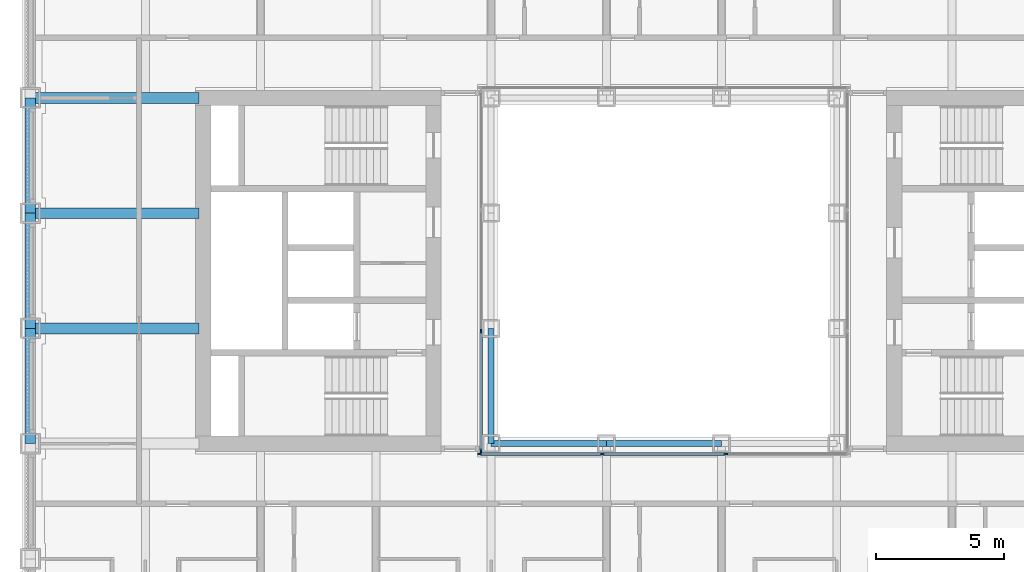
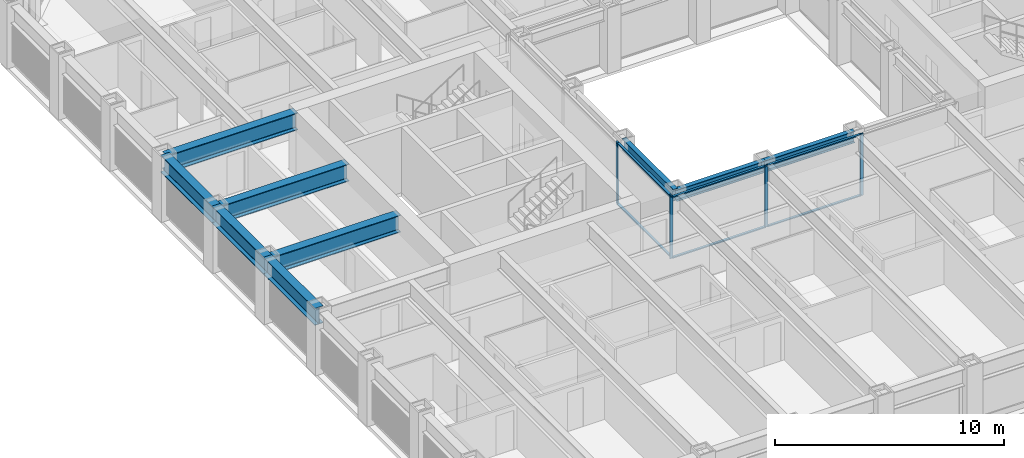
# One storey, part 3 of 21: 11 members, 9 beams, 2 elements without a shape of their own.
"""IFC4 building model written with IfcOpenShell, lengths in metres."""

from ifc_helpers import new_model, si_unit, direction, frame, origin, origin_2d, place, context, subcontext, project, spatial, rectangle, i_section, extrude, material, material_profile, profile_set, type_object, element, aggregate, save


model = new_model("IFC4")

# Units and contexts
model_context = context("Model", 3, precision=1e-05, world=origin(), true_north=direction((0.0, 1.0)))
body_context = subcontext(model_context, "Body", "Model", "MODEL_VIEW")
ifc_project = project(units=[si_unit("LENGTHUNIT", "METRE"), si_unit("AREAUNIT", "SQUARE_METRE"), si_unit("VOLUMEUNIT", "CUBIC_METRE"), si_unit("PLANEANGLEUNIT", "RADIAN"), si_unit("MASSUNIT", "GRAM", prefix="KILO")], contexts=[model_context])

# Site, building, storey
site_placement = place(None, origin())
site = spatial("IfcSite", under=ifc_project, at=site_placement, CompositionType="ELEMENT")
building_placement = place(site_placement, origin())
building = spatial("IfcBuilding", under=site, at=building_placement, Name="Msasa Ring Tower", CompositionType="ELEMENT")
storey_placement = place(building_placement, frame((0.0, 0.0, 37.0)))
storey = spatial("IfcBuildingStorey", under=building, at=storey_placement, Name="L08", CompositionType="ELEMENT", Elevation=37.0)

# Curtain wall, members
ifc_material_1 = material(Name="Aluminium curtain wall with clear glass", Category="aluminium")
curtain_wall_type = type_object("IfcCurtainWallType", Name="CW-W LIGHT WELL CURTAIN WALL", PredefinedType="NOTDEFINED", material=ifc_material_1)
curtain_wall_1_placement = place(storey_placement, origin())
curtain_wall_1 = element("IfcCurtainWall", 1, at=curtain_wall_1_placement, inside=storey, type_object=curtain_wall_type, Name="Light well curtain wall S L08", PredefinedType="NOTDEFINED")
ifc_material_2 = material(Name="Aluminium mullion", Category="aluminium")
ifc_material_profile_1 = material_profile(ifc_material_2, rectangle(XDim=0.06005859375, YDim=0.159912109375, at=origin_2d()), Name="AL 60x160")
ifc_profile_set_1 = profile_set([ifc_material_profile_1], Name="Aluminium mullion")
member_type_1 = type_object("IfcMemberType", Name="CW-W MULLION 60x160", PredefinedType="MULLION", material=ifc_profile_set_1)
member_1_placement = place(storey_placement, frame((-7.199951171875, -7.14990234375, 0.0), z_axis=(0.0, 0.0, 1.0), x_axis=(0.0, 1.0, 0.0)))
member_1 = element("IfcMember", 2, at=member_1_placement, type_object=member_type_1, Name="CW-W mullion 1", PredefinedType="MULLION", context=body_context, shape_type="SweptSolid", body=[
    extrude(rectangle(XDim=0.06005859375, YDim=0.159912109375, at=origin_2d()), origin(), (0.0, 0.0, 1.0), 3.300048828125),
])
member_2_placement = place(storey_placement, frame((-2.409912109375, -7.14990234375, 0.0), z_axis=(0.0, 0.0, 1.0), x_axis=(0.0, 1.0, 0.0)))
member_2 = element("IfcMember", 3, at=member_2_placement, type_object=member_type_1, Name="CW-W mullion 2", PredefinedType="MULLION", context=body_context, shape_type="SweptSolid", body=[
    extrude(rectangle(XDim=0.06005859375, YDim=0.159912109375, at=origin_2d()), origin(), (0.0, 0.0, 1.0), 3.300048828125),
])
member_3_placement = place(storey_placement, frame((2.409912109375, -7.14990234375, 0.0), z_axis=(0.0, 0.0, 1.0), x_axis=(0.0, 1.0, 0.0)))
member_3 = element("IfcMember", 4, at=member_3_placement, type_object=member_type_1, Name="CW-W mullion 3", PredefinedType="MULLION", context=body_context, shape_type="SweptSolid", body=[
    extrude(rectangle(XDim=0.06005859375, YDim=0.159912109375, at=origin_2d()), origin(), (0.0, 0.0, 1.0), 3.300048828125),
])

curtain_wall_2_placement = place(storey_placement, origin())
curtain_wall_2 = element("IfcCurtainWall", 5, at=curtain_wall_2_placement, inside=storey, type_object=curtain_wall_type, Name="Light well curtain wall W L08", PredefinedType="NOTDEFINED")
member_4_placement = place(storey_placement, frame((-7.14990234375, -7.0400390625, 0.0), z_axis=(0.0, 0.0, 1.0), x_axis=(-1.0, 0.0, 0.0)))
member_4 = element("IfcMember", 6, at=member_4_placement, type_object=member_type_1, Name="CW-W mullion 1", PredefinedType="MULLION", context=body_context, shape_type="SweptSolid", body=[
    extrude(rectangle(XDim=0.06005859375, YDim=0.159912109375, at=origin_2d()), origin(), (0.0, 0.0, 1.0), 3.300048828125),
])
member_5_placement = place(storey_placement, frame((-7.14990234375, -2.356689453125, 0.0), z_axis=(0.0, 0.0, 1.0), x_axis=(-1.0, 0.0, 0.0)))
member_5 = element("IfcMember", 7, at=member_5_placement, type_object=member_type_1, Name="CW-W mullion 2", PredefinedType="MULLION", context=body_context, shape_type="SweptSolid", body=[
    extrude(rectangle(XDim=0.06005859375, YDim=0.159912109375, at=origin_2d()), origin(), (0.0, 0.0, 1.0), 3.300048828125),
])

# Member
ifc_material_3 = material(Name="Aluminium transom", Category="aluminium")
ifc_material_profile_2 = material_profile(ifc_material_3, rectangle(XDim=0.1201171875, YDim=0.06005859375, at=origin_2d()), Name="AL 60x120")
ifc_profile_set_2 = profile_set([ifc_material_profile_2], Name="Aluminium transom")
member_type_2 = type_object("IfcMemberType", Name="CW-W TRANSOM 60x120", PredefinedType="USERDEFINED", material=ifc_profile_set_2)
member_6_placement = place(storey_placement, frame((-7.169921875, -7.14990234375, 0.030029296875), z_axis=(1.0, 0.0, 0.0), x_axis=(0.0, 1.0, 0.0)))
member_6 = element("IfcMember", 8, at=member_6_placement, type_object=member_type_2, Name="CW-W transom 1.1", ObjectType="TRANSOM", PredefinedType="USERDEFINED", context=body_context, shape_type="SweptSolid", body=[
    extrude(rectangle(XDim=0.1201171875, YDim=0.06005859375, at=origin_2d()), origin(), (0.0, 0.0, 1.0), 4.72998046875),
])

member_7_placement = place(storey_placement, frame((-7.169921875, -7.14990234375, 3.27001953125), z_axis=(1.0, 0.0, 0.0), x_axis=(0.0, 1.0, 0.0)))
member_7 = element("IfcMember", 9, at=member_7_placement, type_object=member_type_2, Name="CW-W transom 1.2", ObjectType="TRANSOM", PredefinedType="USERDEFINED", context=body_context, shape_type="SweptSolid", body=[
    extrude(rectangle(XDim=0.1201171875, YDim=0.06005859375, at=origin_2d()), origin(), (0.0, 0.0, 1.0), 4.72998046875),
])

member_8_placement = place(storey_placement, frame((-2.3798828125, -7.14990234375, 0.030029296875), z_axis=(1.0, 0.0, 0.0), x_axis=(0.0, 1.0, 0.0)))
member_8 = element("IfcMember", 10, at=member_8_placement, type_object=member_type_2, Name="CW-W transom 2.1", ObjectType="TRANSOM", PredefinedType="USERDEFINED", context=body_context, shape_type="SweptSolid", body=[
    extrude(rectangle(XDim=0.1201171875, YDim=0.06005859375, at=origin_2d()), origin(), (0.0, 0.0, 1.0), 4.759765625),
])

member_9_placement = place(storey_placement, frame((-2.3798828125, -7.14990234375, 3.27001953125), z_axis=(1.0, 0.0, 0.0), x_axis=(0.0, 1.0, 0.0)))
member_9 = element("IfcMember", 11, at=member_9_placement, type_object=member_type_2, Name="CW-W transom 2.2", ObjectType="TRANSOM", PredefinedType="USERDEFINED", context=body_context, shape_type="SweptSolid", body=[
    extrude(rectangle(XDim=0.1201171875, YDim=0.06005859375, at=origin_2d()), origin(), (0.0, 0.0, 1.0), 4.759765625),
])

aggregate(curtain_wall_1, [member_1, member_2, member_3, member_6, member_7, member_8, member_9])

member_10_placement = place(storey_placement, frame((-7.14990234375, -7.010009765625, 0.030029296875), z_axis=(0.0, 1.0, 0.0), x_axis=(-1.0, 0.0, 0.0)))
member_10 = element("IfcMember", 12, at=member_10_placement, type_object=member_type_2, Name="CW-W transom 1.1", ObjectType="TRANSOM", PredefinedType="USERDEFINED", context=body_context, shape_type="SweptSolid", body=[
    extrude(rectangle(XDim=0.1201171875, YDim=0.06005859375, at=origin_2d()), origin(), (0.0, 0.0, 1.0), 4.623291015625),
])

member_11_placement = place(storey_placement, frame((-7.14990234375, -7.010009765625, 3.27001953125), z_axis=(0.0, 1.0, 0.0), x_axis=(-1.0, 0.0, 0.0)))
member_11 = element("IfcMember", 13, at=member_11_placement, type_object=member_type_2, Name="CW-W transom 1.2", ObjectType="TRANSOM", PredefinedType="USERDEFINED", context=body_context, shape_type="SweptSolid", body=[
    extrude(rectangle(XDim=0.1201171875, YDim=0.06005859375, at=origin_2d()), origin(), (0.0, 0.0, 1.0), 4.623291015625),
])

aggregate(curtain_wall_2, [member_4, member_5, member_10, member_11])

# Beams
ifc_material_4 = material(Name="Steel S355", Category="steel")
ifc_material_profile_3 = material_profile(ifc_material_4, i_section(OverallWidth=0.42041015625, OverallDepth=0.9208984375, WebThickness=0.021484375, FlangeThickness=0.03662109375, FilletRadius=0.024169921875, at=origin_2d()), Name="UB 914x419x388")
ifc_profile_set_3 = profile_set([ifc_material_profile_3], Name="Steel S355")
beam_type_1 = type_object("IfcBeamType", Name="FB2 UB 914x419x388", PredefinedType="BEAM", material=ifc_profile_set_3)
for number, where, z_axis, x_axis, name in (
    (14, (-24.75, -2.25, 2.839599609375), (1.0, 0.0, 0.0), (0.0, 1.0, 0.0), "Floor beam W -2.25 under L09"),
    (15, (-24.75, 2.25, 2.839599609375), (1.0, 0.0, 0.0), (0.0, 1.0, 0.0), "Floor beam W +2.25 under L09"),
):
    element("IfcBeam", number, at=place(storey_placement, frame(where, z_axis=z_axis, x_axis=x_axis)), inside=storey, type_object=beam_type_1, Name=name, PredefinedType="BEAM", context=body_context, shape_type="SweptSolid", body=[
        extrude(i_section(OverallWidth=0.42041015625, OverallDepth=0.9208984375, WebThickness=0.021484375, FlangeThickness=0.03662109375, FilletRadius=0.024169921875, at=origin_2d()), origin(), (0.0, 0.0, 1.0), 6.60009765625),
    ])
ifc_material_5 = material(Name="Steel S355", Category="steel")
ifc_material_profile_4 = material_profile(ifc_material_5, i_section(OverallWidth=0.42041015625, OverallDepth=0.9208984375, WebThickness=0.021484375, FlangeThickness=0.03662109375, FilletRadius=0.024169921875, at=origin_2d()), Name="UB 914x419x388")
ifc_profile_set_4 = profile_set([ifc_material_profile_4], Name="Steel S355")
beam_type_2 = type_object("IfcBeamType", Name="GB1 UB 914x419x388", PredefinedType="BEAM", material=ifc_profile_set_4)
beam_placement = place(storey_placement, frame((-18.14990234375, 6.75, 2.839599609375), z_axis=(-1.0, 0.0, 0.0), x_axis=(0.0, -1.0, 0.0)))
element("IfcBeam", 16, at=beam_placement, inside=storey, type_object=beam_type_2, Name="Girder W +6.75 under L09", PredefinedType="BEAM", context=body_context, shape_type="SweptSolid", body=[
    extrude(i_section(OverallWidth=0.42041015625, OverallDepth=0.9208984375, WebThickness=0.021484375, FlangeThickness=0.03662109375, FilletRadius=0.024169921875, at=origin_2d()), origin(), (0.0, 0.0, 1.0), 6.60009765625),
])
ifc_material_6 = material(Name="Steel S355", Category="steel")
ifc_material_profile_5 = material_profile(ifc_material_6, i_section(OverallWidth=0.230224609375, OverallDepth=0.6171875, WebThickness=0.01318359375, FlangeThickness=0.022216796875, FilletRadius=0.0126953125, at=origin_2d()), Name="UB 610x229x140")
ifc_profile_set_5 = profile_set([ifc_material_profile_5], Name="Steel S355")
beam_type_3 = type_object("IfcBeamType", Name="RB1 UB 610x229x140", PredefinedType="BEAM", material=ifc_profile_set_5)
for number, where, z_axis, x_axis, name in (
    (17, (-6.75, -2.25, 2.991455078125), (0.0, -1.0, 0.0), (1.0, 0.0, 0.0), "Inner ring beam IR-6.75-2.25 under L09"),
    (18, (-6.75, -6.75, 2.991455078125), (1.0, 0.0, 0.0), (0.0, 1.0, 0.0), "Inner ring beam IR-6.75-6.75 under L09"),
    (19, (-2.25, -6.75, 2.991455078125), (1.0, 0.0, 0.0), (0.0, 1.0, 0.0), "Inner ring beam IR-2.25-6.75 under L09"),
):
    element("IfcBeam", number, at=place(storey_placement, frame(where, z_axis=z_axis, x_axis=x_axis)), inside=storey, type_object=beam_type_3, Name=name, PredefinedType="BEAM", context=body_context, shape_type="SweptSolid", body=[
        extrude(i_section(OverallWidth=0.230224609375, OverallDepth=0.6171875, WebThickness=0.01318359375, FlangeThickness=0.022216796875, FilletRadius=0.0126953125, at=origin_2d()), origin(), (0.0, 0.0, 1.0), 4.5),
    ])
ifc_material_7 = material(Name="Steel S355", Category="steel")
ifc_material_profile_6 = material_profile(ifc_material_7, i_section(OverallWidth=0.42041015625, OverallDepth=0.9208984375, WebThickness=0.021484375, FlangeThickness=0.03662109375, FilletRadius=0.024169921875, at=origin_2d()), Name="UB 914x419x388")
ifc_profile_set_6 = profile_set([ifc_material_profile_6], Name="Steel S355")
beam_type_4 = type_object("IfcBeamType", Name="SB1 UB 914x419x388", PredefinedType="SPANDREL", material=ifc_profile_set_6)
for number, where, z_axis, x_axis, name in (
    (20, (-24.75, -2.25, 2.839599609375), (0.0, -1.0, 0.0), (1.0, 0.0, 0.0), "Spandrel W-2.25 to W-6.75 under L09"),
    (21, (-24.75, 6.75, 2.839599609375), (0.0, -1.0, 0.0), (1.0, 0.0, 0.0), "Spandrel W+6.75 to W+2.25 under L09"),
    (22, (-24.75, 2.25, 2.839599609375), (0.0, -1.0, 0.0), (1.0, 0.0, 0.0), "Spandrel W+2.25 to W-2.25 under L09"),
):
    element("IfcBeam", number, at=place(storey_placement, frame(where, z_axis=z_axis, x_axis=x_axis)), inside=storey, type_object=beam_type_4, Name=name, PredefinedType="SPANDREL", context=body_context, shape_type="SweptSolid", body=[
        extrude(i_section(OverallWidth=0.42041015625, OverallDepth=0.9208984375, WebThickness=0.021484375, FlangeThickness=0.03662109375, FilletRadius=0.024169921875, at=origin_2d()), origin(), (0.0, 0.0, 1.0), 4.5),
    ])

save(model, "model.ifc")
